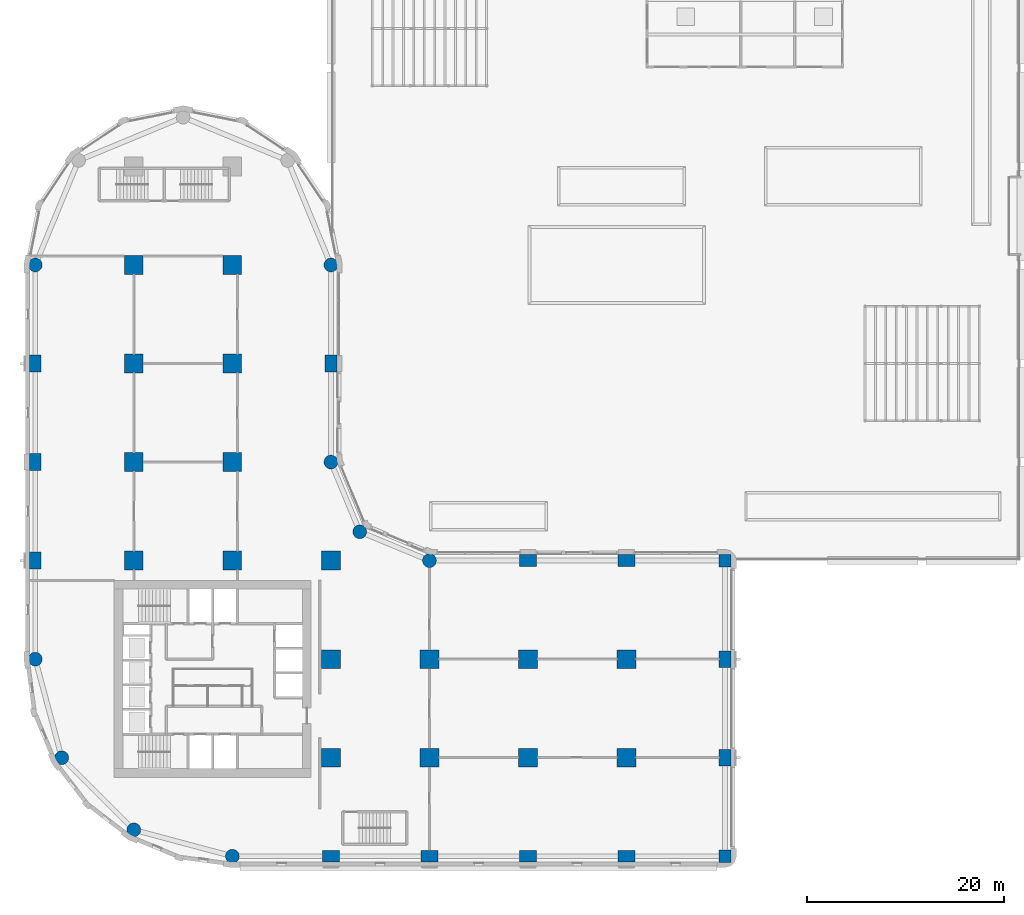
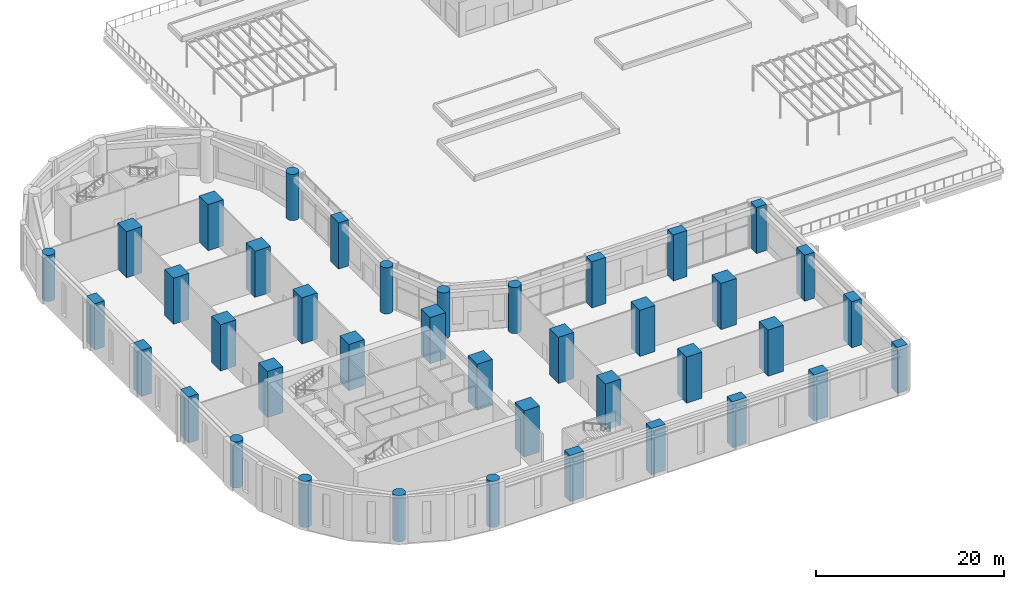
# One storey, part 1 of 28: 40 columns.
"""IFC4 building model written with IfcOpenShell, lengths in metres."""

from ifc_helpers import new_model, si_unit, direction, frame, origin, origin_2d, place, context, subcontext, project, spatial, rectangle, circle, extrude, material, material_profile, profile_set, type_object, element, save


model = new_model("IFC4")

# Units and contexts
model_context = context("Model", 3, precision=1e-05, world=origin(), true_north=direction((0.0, 1.0)))
body_context = subcontext(model_context, "Body", "Model", "MODEL_VIEW")
ifc_project = project(units=[si_unit("LENGTHUNIT", "METRE"), si_unit("AREAUNIT", "SQUARE_METRE"), si_unit("VOLUMEUNIT", "CUBIC_METRE"), si_unit("PLANEANGLEUNIT", "RADIAN"), si_unit("MASSUNIT", "GRAM", prefix="KILO")], contexts=[model_context])

# Site, building, storey
site_placement = place(None, origin())
site = spatial("IfcSite", under=ifc_project, at=site_placement, CompositionType="ELEMENT")
building_placement = place(site_placement, origin())
building = spatial("IfcBuilding", under=site, at=building_placement, Name="Qaws Garden Tower", CompositionType="ELEMENT")
storey_placement = place(building_placement, frame((0.0, 0.0, 6.0)))
storey = spatial("IfcBuildingStorey", under=building, at=storey_placement, Name="L01", CompositionType="ELEMENT", Elevation=6.0)

# Columns
ifc_material_1 = material(Name="Concrete C80", Category="concrete")
ifc_material_profile_1 = material_profile(ifc_material_1, rectangle(XDim=1.25, YDim=1.25, at=origin_2d()), Name="RC 1250x1250")
ifc_profile_set_1 = profile_set([ifc_material_profile_1], Name="Concrete C80")
column_type_1 = type_object("IfcColumnType", Name="Column RC 1250x1250 C80", PredefinedType="COLUMN", material=ifc_profile_set_1)
for number, where, z_axis, x_axis, name in (
    (1, (70.0, 0.0, 0.0), (0.0, 0.0, 1.0), (1.0, 0.0, 0.0), "Column L01-006"),
    (2, (70.0, 30.0, 0.0), (0.0, 0.0, 1.0), (1.0, 0.0, 0.0), "Column L01-009"),
):
    element("IfcColumn", number, at=place(storey_placement, frame(where, z_axis=z_axis, x_axis=x_axis)), inside=storey, type_object=column_type_1, Name=name, PredefinedType="COLUMN", context=body_context, shape_type="SweptSolid", body=[
        extrude(rectangle(XDim=1.25, YDim=1.25, at=origin_2d()), origin(), (0.0, 0.0, 1.0), 6.0),
    ])
ifc_material_2 = material(Name="Concrete C80", Category="concrete")
ifc_material_profile_2 = material_profile(ifc_material_2, rectangle(XDim=1.699951171875, YDim=1.199951171875, at=origin_2d()), Name="RC 1700x1200")
ifc_profile_set_2 = profile_set([ifc_material_profile_2], Name="Concrete C80")
column_type_2 = type_object("IfcColumnType", Name="Column RC 1700x1200 C80", PredefinedType="COLUMN", material=ifc_profile_set_2)
for number, where, z_axis, x_axis, name in (
    (3, (30.0, 0.0, 0.0), (0.0, 0.0, 1.0), (1.0, 0.0, 0.0), "Column L01-002"),
    (4, (40.0, 0.0, 0.0), (0.0, 0.0, 1.0), (1.0, 0.0, 0.0), "Column L01-003"),
    (5, (50.0, 0.0, 0.0), (0.0, 0.0, 1.0), (1.0, 0.0, 0.0), "Column L01-004"),
    (6, (60.0, 0.0, 0.0), (0.0, 0.0, 1.0), (1.0, 0.0, 0.0), "Column L01-005"),
    (7, (70.0, 10.0, 0.0), (0.0, 0.0, 1.0), (0.0, 1.0, 0.0), "Column L01-007"),
    (8, (70.0, 20.0, 0.0), (0.0, 0.0, 1.0), (0.0, 1.0, 0.0), "Column L01-008"),
    (9, (60.0, 30.0, 0.0), (0.0, 0.0, 1.0), (1.0, 0.0, 0.0), "Column L01-010"),
    (10, (50.0, 30.0, 0.0), (0.0, 0.0, 1.0), (1.0, 0.0, 0.0), "Column L01-011"),
    (11, (30.0, 50.0, 0.0), (0.0, 0.0, 1.0), (0.0, 1.0, 0.0), "Column L01-015"),
    (12, (0.0, 50.0, 0.0), (0.0, 0.0, 1.0), (0.0, 1.0, 0.0), "Column L01-021"),
    (13, (0.0, 40.0, 0.0), (0.0, 0.0, 1.0), (0.0, 1.0, 0.0), "Column L01-022"),
    (14, (0.0, 30.0, 0.0), (0.0, 0.0, 1.0), (0.0, 1.0, 0.0), "Column L01-023"),
):
    element("IfcColumn", number, at=place(storey_placement, frame(where, z_axis=z_axis, x_axis=x_axis)), inside=storey, type_object=column_type_2, Name=name, PredefinedType="COLUMN", context=body_context, shape_type="SweptSolid", body=[
        extrude(rectangle(XDim=1.699951171875, YDim=1.199951171875, at=origin_2d()), origin(), (0.0, 0.0, 1.0), 6.0),
    ])
ifc_material_3 = material(Name="Concrete C80", Category="concrete")
ifc_material_profile_3 = material_profile(ifc_material_3, rectangle(XDim=1.89990234375, YDim=1.89990234375, at=origin_2d()), Name="RC 1900x1900")
ifc_profile_set_3 = profile_set([ifc_material_profile_3], Name="Concrete C80")
column_type_3 = type_object("IfcColumnType", Name="Column RC 1900x1900 C80", PredefinedType="COLUMN", material=ifc_profile_set_3)
for number, where, z_axis, x_axis, name in (
    (15, (10.0, 30.0, 0.0), (0.0, 0.0, 1.0), (1.0, 0.0, 0.0), "Column L01-027"),
    (16, (10.0, 40.0, 0.0), (0.0, 0.0, 1.0), (1.0, 0.0, 0.0), "Column L01-028"),
    (17, (10.0, 50.0, 0.0), (0.0, 0.0, 1.0), (1.0, 0.0, 0.0), "Column L01-029"),
    (18, (10.0, 60.0, 0.0), (0.0, 0.0, 1.0), (1.0, 0.0, 0.0), "Column L01-030"),
    (19, (20.0, 30.0, 0.0), (0.0, 0.0, 1.0), (1.0, 0.0, 0.0), "Column L01-032"),
    (20, (20.0, 40.0, 0.0), (0.0, 0.0, 1.0), (1.0, 0.0, 0.0), "Column L01-033"),
    (21, (20.0, 50.0, 0.0), (0.0, 0.0, 1.0), (1.0, 0.0, 0.0), "Column L01-034"),
    (22, (20.0, 60.0, 0.0), (0.0, 0.0, 1.0), (1.0, 0.0, 0.0), "Column L01-035"),
    (23, (30.0, 10.0, 0.0), (0.0, 0.0, 1.0), (1.0, 0.0, 0.0), "Column L01-037"),
    (24, (30.0, 20.0, 0.0), (0.0, 0.0, 1.0), (1.0, 0.0, 0.0), "Column L01-038"),
    (25, (30.0, 30.0, 0.0), (0.0, 0.0, 1.0), (1.0, 0.0, 0.0), "Column L01-039"),
    (26, (40.0, 10.0, 0.0), (0.0, 0.0, 1.0), (1.0, 0.0, 0.0), "Column L01-040"),
    (27, (40.0, 20.0, 0.0), (0.0, 0.0, 1.0), (1.0, 0.0, 0.0), "Column L01-041"),
    (28, (50.0, 10.0, 0.0), (0.0, 0.0, 1.0), (1.0, 0.0, 0.0), "Column L01-042"),
    (29, (50.0, 20.0, 0.0), (0.0, 0.0, 1.0), (1.0, 0.0, 0.0), "Column L01-043"),
    (30, (60.0, 10.0, 0.0), (0.0, 0.0, 1.0), (1.0, 0.0, 0.0), "Column L01-044"),
    (31, (60.0, 20.0, 0.0), (0.0, 0.0, 1.0), (1.0, 0.0, 0.0), "Column L01-045"),
):
    element("IfcColumn", number, at=place(storey_placement, frame(where, z_axis=z_axis, x_axis=x_axis)), inside=storey, type_object=column_type_3, Name=name, PredefinedType="COLUMN", context=body_context, shape_type="SweptSolid", body=[
        extrude(rectangle(XDim=1.89990234375, YDim=1.89990234375, at=origin_2d()), origin(), (0.0, 0.0, 1.0), 6.0),
    ])
ifc_material_4 = material(Name="Concrete C80", Category="concrete")
ifc_material_profile_4 = material_profile(ifc_material_4, circle(Radius=0.699951171875, at=origin_2d()), Name="RC D1400")
ifc_profile_set_4 = profile_set([ifc_material_profile_4], Name="Concrete C80")
column_type_4 = type_object("IfcColumnType", Name="Column RC D1400 C80", PredefinedType="COLUMN", material=ifc_profile_set_4)
for number, where, z_axis, x_axis, name in (
    (32, (20.0, 0.0, 0.0), (0.0, 0.0, 1.0), (1.0, 0.0, 0.0), "Column L01-001"),
    (33, (40.0, 30.0, 0.0), (0.0, 0.0, 1.0), (1.0, 0.0, 0.0), "Column L01-012"),
    (34, (32.928955078125, 32.928955078125, 0.0), (0.0, 0.0, 1.0), (1.0, 0.0, 0.0), "Column L01-013"),
    (35, (30.0, 40.0, 0.0), (0.0, 0.0, 1.0), (1.0, 0.0, 0.0), "Column L01-014"),
    (36, (30.0, 60.0, 0.0), (0.0, 0.0, 1.0), (1.0, 0.0, 0.0), "Column L01-016"),
    (37, (0.0, 60.0, 0.0), (0.0, 0.0, 1.0), (1.0, 0.0, 0.0), "Column L01-020"),
    (38, (0.0, 20.0, 0.0), (0.0, 0.0, 1.0), (1.0, 0.0, 0.0), "Column L01-024"),
    (39, (2.679443359375, 10.0, 0.0), (0.0, 0.0, 1.0), (1.0, 0.0, 0.0), "Column L01-025"),
    (40, (10.0, 2.679443359375, 0.0), (0.0, 0.0, 1.0), (1.0, 0.0, 0.0), "Column L01-026"),
):
    element("IfcColumn", number, at=place(storey_placement, frame(where, z_axis=z_axis, x_axis=x_axis)), inside=storey, type_object=column_type_4, Name=name, PredefinedType="COLUMN", context=body_context, shape_type="SweptSolid", body=[
        extrude(circle(Radius=0.699951171875, at=origin_2d()), origin(), (0.0, 0.0, 1.0), 6.0),
    ])

save(model, "model.ifc")
